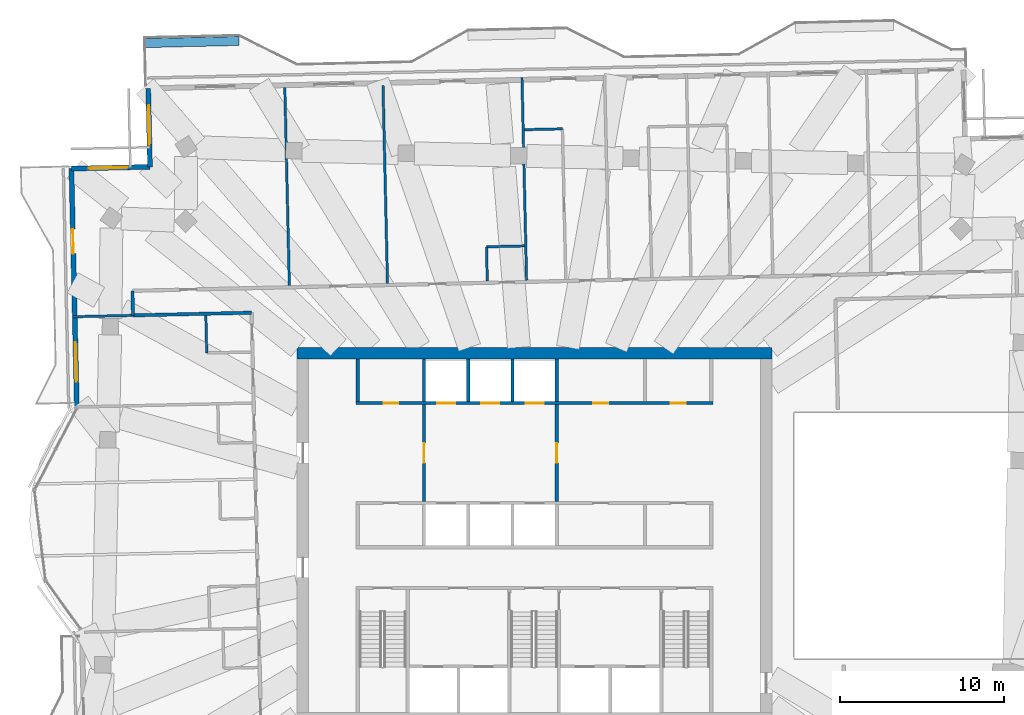
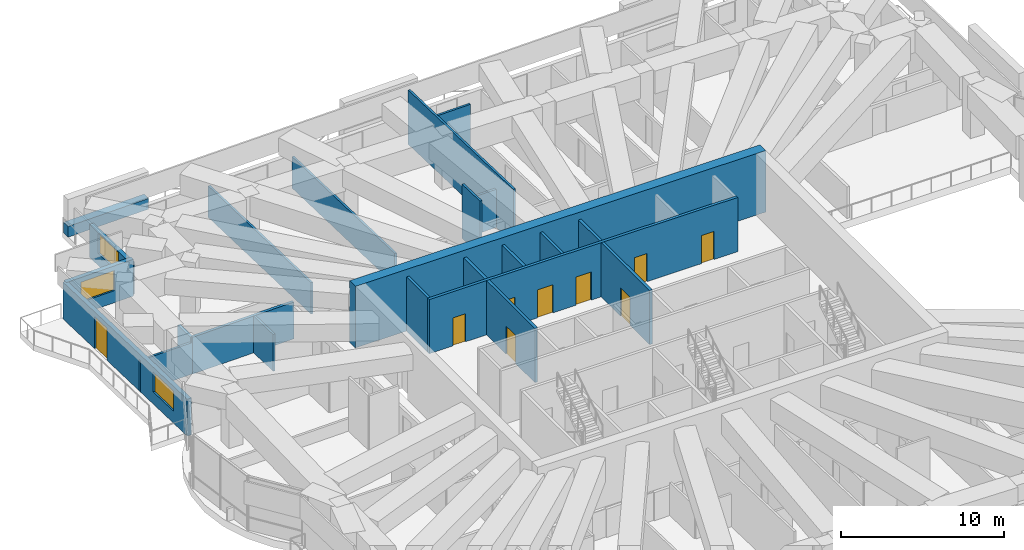
# One storey, part 15 of 21: 23 walls, 9 doors, 3 windows, 12 openings.
"""IFC4 building model written with IfcOpenShell, lengths in metres."""

from ifc_helpers import new_model, si_unit, direction, frame, frame_2d, origin, place, context, subcontext, project, spatial, rectangle, extrude, material, layer, layer_set, type_object, element, fill, save


model = new_model("IFC4")

# Units and contexts
model_context = context("Model", 3, precision=1e-05, world=origin(), true_north=direction((0.0, 1.0)))
body_context = subcontext(model_context, "Body", "Model", "MODEL_VIEW")
ifc_project = project(units=[si_unit("LENGTHUNIT", "METRE"), si_unit("AREAUNIT", "SQUARE_METRE"), si_unit("VOLUMEUNIT", "CUBIC_METRE"), si_unit("PLANEANGLEUNIT", "RADIAN"), si_unit("MASSUNIT", "GRAM", prefix="KILO")], contexts=[model_context])

# Site, building, storey
site_placement = place(None, origin())
site = spatial("IfcSite", under=ifc_project, at=site_placement, CompositionType="ELEMENT")
building_placement = place(site_placement, origin())
building = spatial("IfcBuilding", under=site, at=building_placement, Name="Mangrove Gate Tower", CompositionType="ELEMENT")
storey_placement = place(building_placement, frame((0.0, 0.0, 275.300048828125)))
storey = spatial("IfcBuildingStorey", under=building, at=storey_placement, Name="L70", CompositionType="ELEMENT", Elevation=275.300048828125)

# Wall, opening, door
ifc_material_1 = material(Name="Concrete C32/40", Category="concrete")
ifc_layer_1 = layer(ifc_material_1, 0.199951171875)
ifc_layer_set_1 = layer_set([ifc_layer_1], Name="Core lobby wall 200 C32/40")
wall_type_1 = type_object("IfcWallType", Name="Core lobby wall 200 C32/40", PredefinedType="STANDARD", material=ifc_layer_set_1)
wall_1_placement = place(storey_placement, frame((-6.75, 2.10009765625, 0.0), z_axis=(0.0, 0.0, 1.0), x_axis=(0.0, 1.0, 0.0)))
wall_1 = element("IfcWall", 1, at=wall_1_placement, inside=storey, type_object=wall_type_1, Name="WALL-L70-CORE-33", PredefinedType="STANDARD", context=body_context, shape_type="SweptSolid", body=[
    extrude(rectangle(XDim=5.89990234375, YDim=0.199951171875, at=frame_2d((2.949951171875, 0.0))), origin(), (0.0, 0.0, 1.0), 4.050048828125),
])
opening_1_placement = place(wall_1_placement, frame((2.35009765625, 0.0, 0.0)))
opening_1 = element("IfcOpeningElement", 2, at=opening_1_placement, cuts=wall_1, Name="Opening FL12", PredefinedType="OPENING", context=body_context, shape_type="SweptSolid", body=[
    extrude(rectangle(XDim=1.199951171875, YDim=2.10009765625, at=frame_2d((0.60009765625, 1.050048828125))), frame((0.0, 0.10986328125, 0.0), z_axis=(0.0, -1.0, 0.0), x_axis=(1.0, 0.0, 0.0)), (0.0, 0.0, 1.0), 0.219970703125),
])
ifc_material_2 = material(Name="Fire-rated steel door set", Category="steel")
door_type_1 = type_object("IfcDoorType", Name="Lobby door FD60 1200x2100", OperationType="SINGLE_SWING_LEFT", PredefinedType="DOOR", material=ifc_material_2)
door_1_placement = place(opening_1_placement, origin())
door_1 = element("IfcDoor", 3, at=door_1_placement, inside=storey, type_object=door_type_1, Name="Lobby door lift lobby partition", OperationType="SINGLE_SWING_LEFT", OverallHeight=2.10009765625, OverallWidth=1.199951171875, PredefinedType="DOOR", context=body_context, shape_type="SweptSolid", body=[
    extrude(rectangle(XDim=1.199951171875, YDim=2.10009765625, at=frame_2d((0.60009765625, 1.050048828125))), frame((0.0, 0.02490234375, 0.0), z_axis=(0.0, -1.0, 0.0), x_axis=(1.0, 0.0, 0.0)), (0.0, 0.0, 1.0), 0.050048828125),
])
fill(opening_1, door_1)

wall_2_placement = place(storey_placement, frame((1.35009765625, 2.10009765625, 0.0), z_axis=(0.0, 0.0, 1.0), x_axis=(0.0, 1.0, 0.0)))
wall_2 = element("IfcWall", 4, at=wall_2_placement, inside=storey, type_object=wall_type_1, Name="WALL-L70-CORE-34", PredefinedType="STANDARD", context=body_context, shape_type="SweptSolid", body=[
    extrude(rectangle(XDim=5.89990234375, YDim=0.199951171875, at=frame_2d((2.949951171875, 0.0))), origin(), (0.0, 0.0, 1.0), 4.050048828125),
])
opening_2_placement = place(wall_2_placement, frame((2.35009765625, 0.0, 0.0)))
opening_2 = element("IfcOpeningElement", 5, at=opening_2_placement, cuts=wall_2, Name="Opening FL12", PredefinedType="OPENING", context=body_context, shape_type="SweptSolid", body=[
    extrude(rectangle(XDim=1.199951171875, YDim=2.10009765625, at=frame_2d((0.60009765625, 1.050048828125))), frame((0.0, 0.10986328125, 0.0), z_axis=(0.0, -1.0, 0.0), x_axis=(1.0, 0.0, 0.0)), (0.0, 0.0, 1.0), 0.219970703125),
])
door_2_placement = place(opening_2_placement, origin())
door_2 = element("IfcDoor", 6, at=door_2_placement, inside=storey, type_object=door_type_1, Name="Lobby door lift lobby partition", OperationType="SINGLE_SWING_LEFT", OverallHeight=2.10009765625, OverallWidth=1.199951171875, PredefinedType="DOOR", context=body_context, shape_type="SweptSolid", body=[
    extrude(rectangle(XDim=1.199951171875, YDim=2.10009765625, at=frame_2d((0.60009765625, 1.050048828125))), frame((0.0, 0.02490234375, 0.0), z_axis=(0.0, -1.0, 0.0), x_axis=(1.0, 0.0, 0.0)), (0.0, 0.0, 1.0), 0.050048828125),
])
fill(opening_2, door_2)

# Wall
ifc_material_3 = material(Name="Concrete C32/40", Category="concrete")
ifc_layer_2 = layer(ifc_material_3, 0.199951171875)
ifc_layer_set_2 = layer_set([ifc_layer_2], Name="Core room wall 200 C32/40")
wall_type_2 = type_object("IfcWallType", Name="Core room wall 200 C32/40", PredefinedType="STANDARD", material=ifc_layer_set_2)
wall_3_placement = place(storey_placement, frame((-10.800048828125, 8.199951171875, 0.0), z_axis=(0.0, 0.0, 1.0), x_axis=(0.0, 1.0, 0.0)))
element("IfcWall", 7, at=wall_3_placement, inside=storey, type_object=wall_type_2, Name="WALL-L70-CORE-26", PredefinedType="STANDARD", context=body_context, shape_type="SweptSolid", body=[
    extrude(rectangle(XDim=2.60009765625, YDim=0.199951171875, at=frame_2d((1.300048828125, 0.0))), origin(), (0.0, 0.0, 1.0), 4.050048828125),
])

# Wall, openings, doors
ifc_material_4 = material(Name="Concrete C50/60", Category="concrete")
ifc_layer_3 = layer(ifc_material_4, 0.199951171875)
ifc_layer_set_3 = layer_set([ifc_layer_3], Name="Core shaft wall 200 C50/60")
wall_type_3 = type_object("IfcWallType", Name="Core shaft wall 200 C50/60", PredefinedType="SHEAR", material=ifc_layer_set_3)
wall_4_placement = place(storey_placement, frame((-10.89990234375, 8.10009765625, 0.0), z_axis=(0.0, 0.0, 1.0), x_axis=(1.0, 0.0, 0.0)))
wall_4 = element("IfcWall", 8, at=wall_4_placement, inside=storey, type_object=wall_type_3, Name="WALL-L70-CORE-8", PredefinedType="SHEAR", context=body_context, shape_type="SweptSolid", body=[
    extrude(rectangle(XDim=21.7998046875, YDim=0.199951171875, at=frame_2d((10.89990234375, 0.0))), origin(), (0.0, 0.0, 1.0), 4.050048828125),
])
opening_3_placement = place(wall_4_placement, frame((4.949951171875, 0.0, 0.0)))
opening_3 = element("IfcOpeningElement", 9, at=opening_3_placement, cuts=wall_4, Name="Opening LD", PredefinedType="OPENING", context=body_context, shape_type="SweptSolid", body=[
    extrude(rectangle(XDim=1.10009765625, YDim=2.10009765625, at=frame_2d((0.550048828125, 1.050048828125))), frame((0.0, 0.10986328125, 0.0), z_axis=(0.0, -1.0, 0.0), x_axis=(1.0, 0.0, 0.0)), (0.0, 0.0, 1.0), 0.219970703125),
])
opening_4_placement = place(wall_4_placement, frame((7.64990234375, 0.0, 0.0)))
opening_4 = element("IfcOpeningElement", 10, at=opening_4_placement, cuts=wall_4, Name="Opening LD", PredefinedType="OPENING", context=body_context, shape_type="SweptSolid", body=[
    extrude(rectangle(XDim=1.10009765625, YDim=2.10009765625, at=frame_2d((0.550048828125, 1.050048828125))), frame((0.0, 0.10986328125, 0.0), z_axis=(0.0, -1.0, 0.0), x_axis=(1.0, 0.0, 0.0)), (0.0, 0.0, 1.0), 0.219970703125),
])
opening_5_placement = place(wall_4_placement, frame((10.35009765625, 0.0, 0.0)))
opening_5 = element("IfcOpeningElement", 11, at=opening_5_placement, cuts=wall_4, Name="Opening LD", PredefinedType="OPENING", context=body_context, shape_type="SweptSolid", body=[
    extrude(rectangle(XDim=1.10009765625, YDim=2.10009765625, at=frame_2d((0.550048828125, 1.050048828125))), frame((0.0, 0.10986328125, 0.0), z_axis=(0.0, -1.0, 0.0), x_axis=(1.0, 0.0, 0.0)), (0.0, 0.0, 1.0), 0.219970703125),
])
opening_6_placement = place(wall_4_placement, frame((1.675048828125, 0.0, 0.0)))
opening_6 = element("IfcOpeningElement", 12, at=opening_6_placement, cuts=wall_4, Name="Opening KD", PredefinedType="OPENING", context=body_context, shape_type="SweptSolid", body=[
    extrude(rectangle(XDim=0.89990234375, YDim=2.10009765625, at=frame_2d((0.449951171875, 1.050048828125))), frame((0.0, 0.10986328125, 0.0), z_axis=(0.0, -1.0, 0.0), x_axis=(1.0, 0.0, 0.0)), (0.0, 0.0, 1.0), 0.219970703125),
])
opening_7_placement = place(wall_4_placement, frame((14.5, 0.0, 0.0)))
opening_7 = element("IfcOpeningElement", 13, at=opening_7_placement, cuts=wall_4, Name="Opening KD", PredefinedType="OPENING", context=body_context, shape_type="SweptSolid", body=[
    extrude(rectangle(XDim=0.89990234375, YDim=2.10009765625, at=frame_2d((0.449951171875, 1.050048828125))), frame((0.0, 0.10986328125, 0.0), z_axis=(0.0, -1.0, 0.0), x_axis=(1.0, 0.0, 0.0)), (0.0, 0.0, 1.0), 0.219970703125),
])
opening_8_placement = place(wall_4_placement, frame((19.22509765625, 0.0, 0.0)))
opening_8 = element("IfcOpeningElement", 14, at=opening_8_placement, cuts=wall_4, Name="Opening KD", PredefinedType="OPENING", context=body_context, shape_type="SweptSolid", body=[
    extrude(rectangle(XDim=0.89990234375, YDim=2.10009765625, at=frame_2d((0.449951171875, 1.050048828125))), frame((0.0, 0.10986328125, 0.0), z_axis=(0.0, -1.0, 0.0), x_axis=(1.0, 0.0, 0.0)), (0.0, 0.0, 1.0), 0.219970703125),
])
ifc_material_5 = material(Name="Fire-rated steel door set", Category="steel")
door_type_2 = type_object("IfcDoorType", Name="Core room door FD30S 900x2100", OperationType="SINGLE_SWING_RIGHT", PredefinedType="DOOR", material=ifc_material_5)
door_3_placement = place(opening_6_placement, origin())
door_3 = element("IfcDoor", 15, at=door_3_placement, inside=storey, type_object=door_type_2, Name="Core room door Pantry store", OperationType="SINGLE_SWING_RIGHT", OverallHeight=2.10009765625, OverallWidth=0.89990234375, PredefinedType="DOOR", context=body_context, shape_type="SweptSolid", body=[
    extrude(rectangle(XDim=0.89990234375, YDim=2.10009765625, at=frame_2d((0.449951171875, 1.050048828125))), frame((0.0, 0.02490234375, 0.0), z_axis=(0.0, -1.0, 0.0), x_axis=(1.0, 0.0, 0.0)), (0.0, 0.0, 1.0), 0.050048828125),
])
fill(opening_6, door_3)
door_4_placement = place(opening_7_placement, origin())
door_4 = element("IfcDoor", 16, at=door_4_placement, inside=storey, type_object=door_type_2, Name="Core room door Cleaner's store", OperationType="SINGLE_SWING_RIGHT", OverallHeight=2.10009765625, OverallWidth=0.89990234375, PredefinedType="DOOR", context=body_context, shape_type="SweptSolid", body=[
    extrude(rectangle(XDim=0.89990234375, YDim=2.10009765625, at=frame_2d((0.449951171875, 1.050048828125))), frame((0.0, 0.02490234375, 0.0), z_axis=(0.0, -1.0, 0.0), x_axis=(1.0, 0.0, 0.0)), (0.0, 0.0, 1.0), 0.050048828125),
])
fill(opening_7, door_4)
door_5_placement = place(opening_8_placement, origin())
door_5 = element("IfcDoor", 17, at=door_5_placement, inside=storey, type_object=door_type_2, Name="Core room door Refuse store", OperationType="SINGLE_SWING_RIGHT", OverallHeight=2.10009765625, OverallWidth=0.89990234375, PredefinedType="DOOR", context=body_context, shape_type="SweptSolid", body=[
    extrude(rectangle(XDim=0.89990234375, YDim=2.10009765625, at=frame_2d((0.449951171875, 1.050048828125))), frame((0.0, 0.02490234375, 0.0), z_axis=(0.0, -1.0, 0.0), x_axis=(1.0, 0.0, 0.0)), (0.0, 0.0, 1.0), 0.050048828125),
])
fill(opening_8, door_5)
ifc_material_6 = material(Name="Stainless steel 316", Category="steel")
door_type_3 = type_object("IfcDoorType", Name="Lift landing door 1100x2100", OperationType="SLIDING_TO_LEFT", PredefinedType="DOOR", material=ifc_material_6)
door_6_placement = place(opening_3_placement, origin())
door_6 = element("IfcDoor", 18, at=door_6_placement, inside=storey, type_object=door_type_3, Name="Landing door LD H04", OperationType="SLIDING_TO_LEFT", OverallHeight=2.10009765625, OverallWidth=1.10009765625, PredefinedType="DOOR", context=body_context, shape_type="SweptSolid", body=[
    extrude(rectangle(XDim=1.10009765625, YDim=2.10009765625, at=frame_2d((0.550048828125, 1.050048828125))), frame((0.0, 0.02490234375, 0.0), z_axis=(0.0, -1.0, 0.0), x_axis=(1.0, 0.0, 0.0)), (0.0, 0.0, 1.0), 0.050048828125),
])
fill(opening_3, door_6)
door_7_placement = place(opening_4_placement, origin())
door_7 = element("IfcDoor", 19, at=door_7_placement, inside=storey, type_object=door_type_3, Name="Landing door LD H05", OperationType="SLIDING_TO_LEFT", OverallHeight=2.10009765625, OverallWidth=1.10009765625, PredefinedType="DOOR", context=body_context, shape_type="SweptSolid", body=[
    extrude(rectangle(XDim=1.10009765625, YDim=2.10009765625, at=frame_2d((0.550048828125, 1.050048828125))), frame((0.0, 0.02490234375, 0.0), z_axis=(0.0, -1.0, 0.0), x_axis=(1.0, 0.0, 0.0)), (0.0, 0.0, 1.0), 0.050048828125),
])
fill(opening_4, door_7)
door_8_placement = place(opening_5_placement, origin())
door_8 = element("IfcDoor", 20, at=door_8_placement, inside=storey, type_object=door_type_3, Name="Landing door LD H06", OperationType="SLIDING_TO_LEFT", OverallHeight=2.10009765625, OverallWidth=1.10009765625, PredefinedType="DOOR", context=body_context, shape_type="SweptSolid", body=[
    extrude(rectangle(XDim=1.10009765625, YDim=2.10009765625, at=frame_2d((0.550048828125, 1.050048828125))), frame((0.0, 0.02490234375, 0.0), z_axis=(0.0, -1.0, 0.0), x_axis=(1.0, 0.0, 0.0)), (0.0, 0.0, 1.0), 0.050048828125),
])
fill(opening_5, door_8)

# Walls
for number, where, z_axis, x_axis, name in (
    (21, (-6.75, 8.199951171875, 0.0), (0.0, 0.0, 1.0), (0.0, 1.0, 0.0), "WALL-L70-CORE-27"),
    (22, (-4.050048828125, 8.199951171875, 0.0), (0.0, 0.0, 1.0), (0.0, 1.0, 0.0), "WALL-L70-CORE-28"),
    (23, (-1.35009765625, 8.199951171875, 0.0), (0.0, 0.0, 1.0), (0.0, 1.0, 0.0), "WALL-L70-CORE-29"),
    (24, (1.35009765625, 8.199951171875, 0.0), (0.0, 0.0, 1.0), (0.0, 1.0, 0.0), "WALL-L70-CORE-30"),
):
    element("IfcWall", number, at=place(storey_placement, frame(where, z_axis=z_axis, x_axis=x_axis)), inside=storey, type_object=wall_type_3, Name=name, PredefinedType="SHEAR", context=body_context, shape_type="SweptSolid", body=[
        extrude(rectangle(XDim=2.60009765625, YDim=0.199951171875, at=frame_2d((1.300048828125, 0.0))), origin(), (0.0, 0.0, 1.0), 4.050048828125),
    ])
ifc_material_7 = material(Name="Concrete C50/60", Category="concrete")
ifc_layer_4 = layer(ifc_material_7, 0.699951171875)
ifc_layer_set_4 = layer_set([ifc_layer_4], Name="Core wall 700 C50/60")
wall_type_4 = type_object("IfcWallType", Name="Core wall 700 C50/60", PredefinedType="SHEAR", material=ifc_layer_set_4)
wall_5_placement = place(storey_placement, frame((-14.5, 11.14990234375, 0.0), z_axis=(0.0, 0.0, 1.0), x_axis=(1.0, 0.0, 0.0)))
element("IfcWall", 25, at=wall_5_placement, inside=storey, type_object=wall_type_4, Name="WALL-L70-CORE-2", PredefinedType="SHEAR", context=body_context, shape_type="SweptSolid", body=[
    extrude(rectangle(XDim=29.0, YDim=0.699951171875, at=frame_2d((14.5, 0.0))), origin(), (0.0, 0.0, 1.0), 4.599853515625),
])
ifc_material_8 = material(Name="Gypsum board on steel stud, EI 60", Category="steel")
ifc_layer_5 = layer(ifc_material_8, 0.199951171875)
ifc_layer_set_5 = layer_set([ifc_layer_5], Name="Corridor wall EI 60")
wall_type_5 = type_object("IfcWallType", Name="Corridor wall EI 60", PredefinedType="PARTITIONING", material=ifc_layer_set_5)
wall_6_placement = place(storey_placement, frame((-24.534912109375, 13.4599609375, 0.0), z_axis=(0.0, 0.0, 1.0), x_axis=(-0.022780545013, 0.999740489712, 0.0)))
element("IfcWall", 26, at=wall_6_placement, inside=storey, type_object=wall_type_5, Name="WALL-L70-049", PredefinedType="PARTITIONING", context=body_context, shape_type="SweptSolid", body=[
    extrude(rectangle(XDim=1.50048828125, YDim=0.199951171875, at=frame_2d((0.750244140625, 0.0))), origin(), (0.0, 0.0, 1.0), 2.75),
])
wall_7_placement = place(storey_placement, frame((-24.531982421875, 13.4599609375, 0.0), z_axis=(0.0, 0.0, 1.0), x_axis=(0.999741000612, 0.022758112756, 0.0)))
element("IfcWall", 27, at=wall_7_placement, inside=storey, type_object=wall_type_5, Name="WALL-L70-050", PredefinedType="PARTITIONING", context=body_context, shape_type="SweptSolid", body=[
    extrude(rectangle(XDim=7.251953125, YDim=0.199951171875, at=frame_2d((3.6259765625, 0.0))), origin(), (0.0, 0.0, 1.0), 2.75),
])

# Wall, opening, window
ifc_material_9 = material(Name="Limestone", Category="masonry")
ifc_layer_6 = layer(ifc_material_9, 0.0400390625, Name="Limestone cladding")
ifc_material_10 = material(Name="Ventilated air gap")
ifc_layer_7 = layer(ifc_material_10, 0.0400390625, Name="Ventilated cavity")
ifc_material_11 = material(Name="Mineral wool insulation")
ifc_layer_8 = layer(ifc_material_11, 0.06005859375, Name="Insulation")
ifc_material_12 = material(Name="Breather membrane")
ifc_layer_9 = layer(ifc_material_12, 0.001953125, Name="Breather membrane")
ifc_material_13 = material(Name="Concrete C20/25 blockwork", Category="masonry")
ifc_layer_10 = layer(ifc_material_13, 0.14990234375, Name="Blockwork backing wall")
ifc_material_14 = material(Name="Gypsum plaster")
ifc_layer_11 = layer(ifc_material_14, 0.008056640625, Name="Internal plaster")
ifc_layer_set_6 = layer_set([ifc_layer_6, ifc_layer_7, ifc_layer_8, ifc_layer_9, ifc_layer_10, ifc_layer_11], Name="External wall 300 limestone cladding")
wall_type_6 = type_object("IfcWallType", Name="External wall 300 limestone cladding", PredefinedType="SOLIDWALL", material=ifc_layer_set_6)
wall_8_placement = place(storey_placement, frame((-23.60693359375, 27.3349609375, 0.0), z_axis=(0.0, 0.0, 1.0), x_axis=(0.022683280499, -0.999742701292, 0.0)))
wall_8 = element("IfcWall", 28, at=wall_8_placement, inside=storey, type_object=wall_type_6, Name="WALL-L70-W6", PredefinedType="SOLIDWALL", context=body_context, shape_type="SweptSolid", body=[
    extrude(rectangle(XDim=4.80029296875, YDim=0.300048828125, at=frame_2d((2.400146484375, 0.0))), origin(), (0.0, 0.0, 1.0), 2.449951171875),
])
opening_9_placement = place(wall_8_placement, frame((1.050048828125, 0.0, 0.89990234375)))
opening_9 = element("IfcOpeningElement", 29, at=opening_9_placement, cuts=wall_8, Name="Opening W2", PredefinedType="OPENING", context=body_context, shape_type="SweptSolid", body=[
    extrude(rectangle(XDim=2.39990234375, YDim=1.5, at=frame_2d((1.199951171875, 0.75))), frame((0.0, 0.159912109375, 0.0), z_axis=(0.0, -1.0, 0.0), x_axis=(1.0, 0.0, 0.0)), (0.0, 0.0, 1.0), 0.320068359375),
])
ifc_material_15 = material(Name="Aluminium frame with double-glazed low-e glass", Category="aluminium")
window_type = type_object("IfcWindowType", Name="Corner room window 2400x1500", PartitioningType="DOUBLE_PANEL_VERTICAL", PredefinedType="WINDOW", material=ifc_material_15)
window_1_placement = place(opening_9_placement, origin())
window_1 = element("IfcWindow", 30, at=window_1_placement, inside=storey, type_object=window_type, Name="WIN-L70-W6-1", OverallHeight=1.5, OverallWidth=2.39990234375, PartitioningType="DOUBLE_PANEL_VERTICAL", PredefinedType="WINDOW", context=body_context, shape_type="SweptSolid", body=[
    extrude(rectangle(XDim=2.39990234375, YDim=1.5, at=frame_2d((1.199951171875, 0.75))), frame((0.0, 0.030029296875, 0.0), z_axis=(0.0, -1.0, 0.0), x_axis=(1.0, 0.0, 0.0)), (0.0, 0.0, 1.0), 0.06005859375),
])
fill(opening_9, window_1)

wall_9_placement = place(storey_placement, frame((-23.498046875, 22.535888671875, 0.0), z_axis=(0.0, 0.0, 1.0), x_axis=(-0.999742701292, -0.022683280499, 0.0)))
wall_9 = element("IfcWall", 31, at=wall_9_placement, inside=storey, type_object=wall_type_6, Name="WALL-L70-N7", PredefinedType="SOLIDWALL", context=body_context, shape_type="SweptSolid", body=[
    extrude(rectangle(XDim=4.80029296875, YDim=0.300048828125, at=frame_2d((2.400146484375, 0.0))), origin(), (0.0, 0.0, 1.0), 2.75),
])
opening_10_placement = place(wall_9_placement, frame((1.35009765625, 0.0, 0.89990234375)))
opening_10 = element("IfcOpeningElement", 32, at=opening_10_placement, cuts=wall_9, Name="Opening W2", PredefinedType="OPENING", context=body_context, shape_type="SweptSolid", body=[
    extrude(rectangle(XDim=2.39990234375, YDim=1.5, at=frame_2d((1.199951171875, 0.75))), frame((0.0, 0.159912109375, 0.0), z_axis=(0.0, -1.0, 0.0), x_axis=(1.0, 0.0, 0.0)), (0.0, 0.0, 1.0), 0.320068359375),
])
window_2_placement = place(opening_10_placement, origin())
window_2 = element("IfcWindow", 33, at=window_2_placement, inside=storey, type_object=window_type, Name="WIN-L70-N7-1", OverallHeight=1.5, OverallWidth=2.39990234375, PartitioningType="DOUBLE_PANEL_VERTICAL", PredefinedType="WINDOW", context=body_context, shape_type="SweptSolid", body=[
    extrude(rectangle(XDim=2.39990234375, YDim=1.5, at=frame_2d((1.199951171875, 0.75))), frame((0.0, 0.030029296875, 0.0), z_axis=(0.0, -1.0, 0.0), x_axis=(1.0, 0.0, 0.0)), (0.0, 0.0, 1.0), 0.06005859375),
])
fill(opening_10, window_2)

# Wall, openings, door, window
wall_10_placement = place(storey_placement, frame((-28.297119140625, 22.427001953125, 0.0), z_axis=(0.0, 0.0, 1.0), x_axis=(0.02269714286, -0.999742386671, 0.0)))
wall_10 = element("IfcWall", 34, at=wall_10_placement, inside=storey, type_object=wall_type_6, Name="WALL-L70-W8", PredefinedType="SOLIDWALL", context=body_context, shape_type="SweptSolid", body=[
    extrude(rectangle(XDim=14.628662109375, YDim=0.300048828125, at=frame_2d((7.314453125, 0.0))), origin(), (0.0, 0.0, 1.0), 2.75),
])
opening_11_placement = place(wall_10_placement, frame((3.699951171875, 0.0, 0.0)))
opening_11 = element("IfcOpeningElement", 35, at=opening_11_placement, cuts=wall_10, Name="Opening BD1", PredefinedType="OPENING", context=body_context, shape_type="SweptSolid", body=[
    extrude(rectangle(XDim=1.5, YDim=2.39990234375, at=frame_2d((0.75, 1.199951171875))), frame((0.0, 0.159912109375, 0.0), z_axis=(0.0, -1.0, 0.0), x_axis=(1.0, 0.0, 0.0)), (0.0, 0.0, 1.0), 0.320068359375),
])
opening_12_placement = place(wall_10_placement, frame((10.612060546875, 0.0, 0.89990234375)))
opening_12 = element("IfcOpeningElement", 36, at=opening_12_placement, cuts=wall_10, Name="Opening W2", PredefinedType="OPENING", context=body_context, shape_type="SweptSolid", body=[
    extrude(rectangle(XDim=2.39990234375, YDim=1.5, at=frame_2d((1.199951171875, 0.75))), frame((0.0, 0.159912109375, 0.0), z_axis=(0.0, -1.0, 0.0), x_axis=(1.0, 0.0, 0.0)), (0.0, 0.0, 1.0), 0.320068359375),
])
ifc_material_16 = material(Name="Aluminium frame with laminated clear glass", Category="aluminium")
door_type_4 = type_object("IfcDoorType", Name="Balcony sliding door 1500x2400", OperationType="SLIDING_TO_LEFT", PredefinedType="DOOR", material=ifc_material_16)
door_9_placement = place(opening_11_placement, origin())
door_9 = element("IfcDoor", 37, at=door_9_placement, inside=storey, type_object=door_type_4, Name="DOOR-L70-W8-1", OperationType="SLIDING_TO_LEFT", OverallHeight=2.39990234375, OverallWidth=1.5, PredefinedType="DOOR", context=body_context, shape_type="SweptSolid", body=[
    extrude(rectangle(XDim=1.5, YDim=2.39990234375, at=frame_2d((0.75, 1.199951171875))), frame((0.0, 0.02490234375, 0.0), z_axis=(0.0, -1.0, 0.0), x_axis=(1.0, 0.0, 0.0)), (0.0, 0.0, 1.0), 0.050048828125),
])
fill(opening_11, door_9)
window_3_placement = place(opening_12_placement, origin())
window_3 = element("IfcWindow", 38, at=window_3_placement, inside=storey, type_object=window_type, Name="WIN-L70-W8-2", OverallHeight=1.5, OverallWidth=2.39990234375, PartitioningType="DOUBLE_PANEL_VERTICAL", PredefinedType="WINDOW", context=body_context, shape_type="SweptSolid", body=[
    extrude(rectangle(XDim=2.39990234375, YDim=1.5, at=frame_2d((1.199951171875, 0.75))), frame((0.0, 0.030029296875, 0.0), z_axis=(0.0, -1.0, 0.0), x_axis=(1.0, 0.0, 0.0)), (0.0, 0.0, 1.0), 0.06005859375),
])
fill(opening_12, window_3)

# Walls
ifc_material_17 = material(Name="Gypsum board on steel stud, EI 60", Category="steel")
ifc_layer_12 = layer(ifc_material_17, 0.14990234375)
ifc_layer_set_7 = layer_set([ifc_layer_12], Name="Party wall 150 EI 60")
wall_type_7 = type_object("IfcWallType", Name="Party wall 150 EI 60", PredefinedType="PARTITIONING", material=ifc_layer_set_7)
wall_11_placement = place(storey_placement, frame((-20.031005859375, 11.162109375, 0.0), z_axis=(0.0, 0.0, 1.0), x_axis=(-0.023039761813, 0.999734549456, 0.0)))
element("IfcWall", 39, at=wall_11_placement, inside=storey, type_object=wall_type_7, Name="WALL-L70-046", PredefinedType="PARTITIONING", context=body_context, shape_type="SweptSolid", body=[
    extrude(rectangle(XDim=2.299560546875, YDim=0.14990234375, at=frame_2d((1.14990234375, 0.0))), origin(), (0.0, 0.0, 1.0), 2.75),
])
wall_12_placement = place(storey_placement, frame((-28.241943359375, 13.3759765625, 0.0), z_axis=(0.0, 0.0, 1.0), x_axis=(0.999744407723, 0.022607946112, 0.0)))
element("IfcWall", 40, at=wall_12_placement, inside=storey, type_object=wall_type_7, Name="WALL-L70-048", PredefinedType="PARTITIONING", context=body_context, shape_type="SweptSolid", body=[
    extrude(rectangle(XDim=3.71484375, YDim=0.14990234375, at=frame_2d((1.857421875, 0.0))), origin(), (0.0, 0.0, 1.0), 2.349853515625),
])
for number, where, z_axis, x_axis, name in (
    (41, (-14.98291015625, 15.277099609375, 0.0), (0.0, 0.0, 1.0), (-0.02273928012, 0.99974142914, 0.0), "WALL-L70-055"),
    (42, (-8.985107421875, 15.4130859375, 0.0), (0.0, 0.0, 1.0), (-0.02263844782, 0.9997437175, 0.0), "WALL-L70-056"),
):
    element("IfcWall", number, at=place(storey_placement, frame(where, z_axis=z_axis, x_axis=x_axis)), inside=storey, type_object=wall_type_7, Name=name, PredefinedType="PARTITIONING", context=body_context, shape_type="SweptSolid", body=[
        extrude(rectangle(XDim=12.10009765625, YDim=0.14990234375, at=frame_2d((6.050048828125, 0.0))), origin(), (0.0, 0.0, 1.0), 2.349853515625),
    ])
wall_13_placement = place(storey_placement, frame((-2.886962890625, 15.552001953125, 0.0), z_axis=(0.0, 0.0, 1.0), x_axis=(-0.022444036695, 0.999748100882, 0.0)))
element("IfcWall", 43, at=wall_13_placement, inside=storey, type_object=wall_type_7, Name="WALL-L70-057", PredefinedType="PARTITIONING", context=body_context, shape_type="SweptSolid", body=[
    extrude(rectangle(XDim=2.099365234375, YDim=0.14990234375, at=frame_2d((1.0498046875, 0.0))), origin(), (0.0, 0.0, 1.0), 4.050048828125),
])
wall_14_placement = place(storey_placement, frame((-0.487060546875, 15.60595703125, 0.0), z_axis=(0.0, 0.0, 1.0), x_axis=(-0.022661475803, 0.999743195783, 0.0)))
element("IfcWall", 44, at=wall_14_placement, inside=storey, type_object=wall_type_7, Name="WALL-L70-058", PredefinedType="PARTITIONING", context=body_context, shape_type="SweptSolid", body=[
    extrude(rectangle(XDim=12.400146484375, YDim=0.14990234375, at=frame_2d((6.2001953125, 0.0))), origin(), (0.0, 0.0, 1.0), 4.050048828125),
])
wall_15_placement = place(storey_placement, frame((-2.931884765625, 17.65087890625, 0.0), z_axis=(0.0, 0.0, 1.0), x_axis=(0.999737862264, 0.022895561926, 0.0)))
element("IfcWall", 45, at=wall_15_placement, inside=storey, type_object=wall_type_7, Name="WALL-L70-067", PredefinedType="PARTITIONING", context=body_context, shape_type="SweptSolid", body=[
    extrude(rectangle(XDim=2.324462890625, YDim=0.14990234375, at=frame_2d((1.162109375, 0.0))), origin(), (0.0, 0.0, 1.0), 2.849853515625),
])
wall_16_placement = place(storey_placement, frame((-0.618896484375, 24.805908203125, 0.0), z_axis=(0.0, 0.0, 1.0), x_axis=(0.999749744571, 0.022370700241, 0.0)))
element("IfcWall", 46, at=wall_16_placement, inside=storey, type_object=wall_type_7, Name="WALL-L70-068", PredefinedType="PARTITIONING", context=body_context, shape_type="SweptSolid", body=[
    extrude(rectangle(XDim=2.324462890625, YDim=0.14990234375, at=frame_2d((1.162109375, 0.0))), origin(), (0.0, 0.0, 1.0), 4.050048828125),
])
ifc_material_18 = material(Name="Concrete C32/40", Category="concrete")
ifc_layer_13 = layer(ifc_material_18, 0.199951171875, Name="Planter trough wall")
ifc_material_19 = material(Name="Bituminous waterproofing membrane")
ifc_layer_14 = layer(ifc_material_19, 0.0048828125, Name="Waterproofing")
ifc_material_20 = material(Name="Drainage board and gravel")
ifc_layer_15 = layer(ifc_material_20, 0.044921875, Name="Drainage layer")
ifc_material_21 = material(Name="Planting soil")
ifc_layer_16 = layer(ifc_material_21, 0.300048828125, Name="Growing medium")
ifc_layer_set_8 = layer_set([ifc_layer_13, ifc_layer_14, ifc_layer_15, ifc_layer_16], Name="Planter wall 550 C32/40")
wall_type_8 = type_object("IfcWallType", Name="Planter wall 550 C32/40", PredefinedType="USERDEFINED", material=ifc_layer_set_8)
wall_17_placement = place(storey_placement, frame((-23.820068359375, 30.095947265625, 0.0), z_axis=(0.0, 0.0, 1.0), x_axis=(0.999745450448, 0.022561788682, 0.0)))
element("IfcWall", 47, at=wall_17_placement, inside=storey, type_object=wall_type_8, Name="PLANTER L70 N1.1", ObjectType="PLANTER", PredefinedType="USERDEFINED", context=body_context, shape_type="SweptSolid", body=[
    extrude(rectangle(XDim=5.767578125, YDim=0.550048828125, at=frame_2d((2.8837890625, 0.0))), origin(), (0.0, 0.0, 1.0), 0.800048828125),
])

save(model, "model.ifc")
